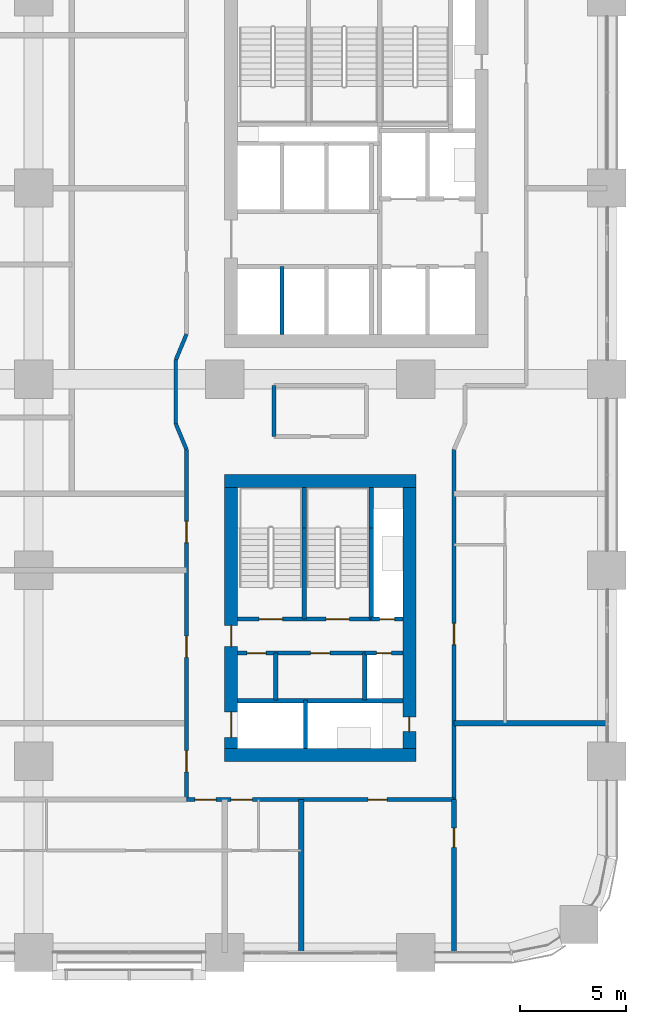
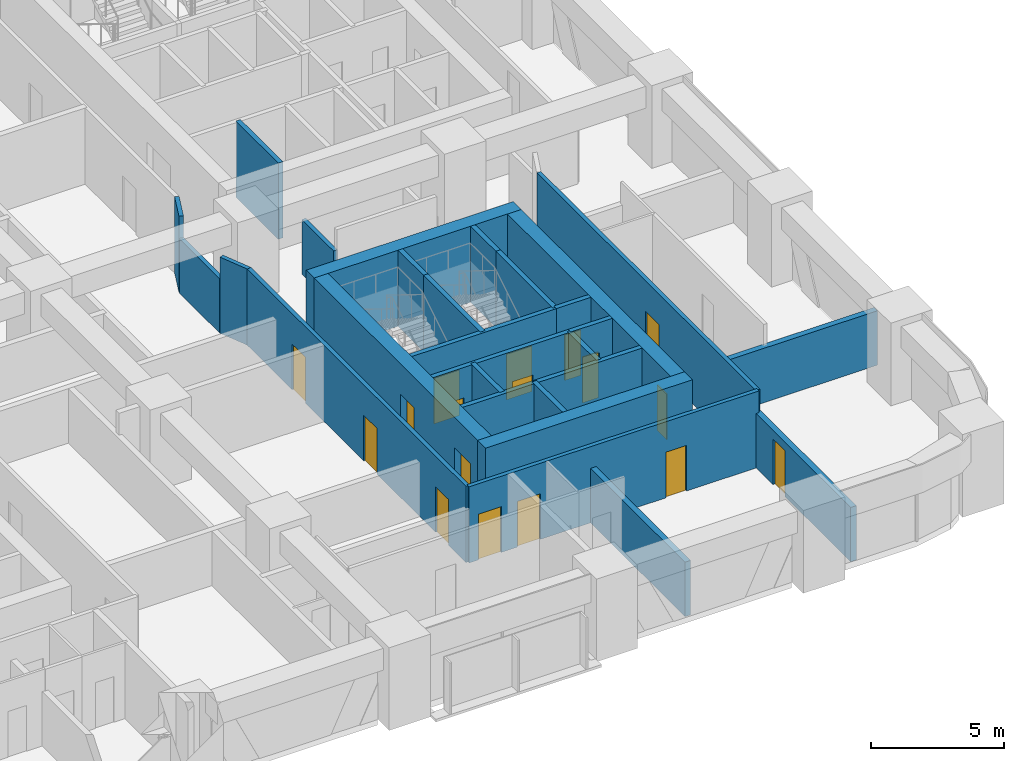
# One storey, part 16 of 23: 27 walls, 17 doors, 17 openings.
"""IFC4 building model written with IfcOpenShell, lengths in metres."""

from ifc_helpers import new_model, si_unit, direction, frame, frame_2d, origin, place, context, subcontext, project, spatial, rectangle, extrude, material, layer, layer_set, type_object, element, fill, save


model = new_model("IFC4")

# Units and contexts
model_context = context("Model", 3, precision=1e-05, world=origin(), true_north=direction((0.0, 1.0)))
body_context = subcontext(model_context, "Body", "Model", "MODEL_VIEW")
ifc_project = project(units=[si_unit("LENGTHUNIT", "METRE"), si_unit("AREAUNIT", "SQUARE_METRE"), si_unit("VOLUMEUNIT", "CUBIC_METRE"), si_unit("PLANEANGLEUNIT", "RADIAN"), si_unit("MASSUNIT", "GRAM", prefix="KILO")], contexts=[model_context])

# Site, building, storey
site_placement = place(None, origin())
site = spatial("IfcSite", under=ifc_project, at=site_placement, CompositionType="ELEMENT")
building_placement = place(site_placement, origin())
building = spatial("IfcBuilding", under=site, at=building_placement, Name="Tessera Arch", CompositionType="ELEMENT")
storey_placement = place(building_placement, frame((0.0, 0.0, 57.60009765625)))
storey = spatial("IfcBuildingStorey", under=building, at=storey_placement, Name="L12", CompositionType="ELEMENT", Elevation=57.60009765625)

# Wall
ifc_material_1 = material(Name="Gypsum board on steel stud", Category="steel")
ifc_layer_1 = layer(ifc_material_1, 0.125)
ifc_layer_set_1 = layer_set([ifc_layer_1], Name="Core partition 125 EI 60")
wall_type_1 = type_object("IfcWallType", Name="Core partition 125 EI 60", PredefinedType="PARTITIONING", material=ifc_layer_set_1)
wall_1_placement = place(storey_placement, frame((38.39990234375, 11.89990234375, 0.0), z_axis=(0.0, 0.0, 1.0), x_axis=(0.0, 1.0, 0.0)))
element("IfcWall", 1, at=wall_1_placement, inside=storey, type_object=wall_type_1, Name="L12 C3 partition wall 1", PredefinedType="PARTITIONING", context=body_context, shape_type="SweptSolid", body=[
    extrude(rectangle(XDim=2.2001953125, YDim=0.199951171875, at=frame_2d((1.10009765625, 0.0))), origin(), (0.0, 0.0, 1.0), 3.5),
])

# Wall, openings, doors
wall_2_placement = place(storey_placement, frame((36.60009765625, 14.10009765625, 0.0), z_axis=(0.0, 0.0, 1.0), x_axis=(1.0, 0.0, 0.0)))
wall_2 = element("IfcWall", 2, at=wall_2_placement, inside=storey, type_object=wall_type_1, Name="L12 C3 partition wall 9", PredefinedType="PARTITIONING", context=body_context, shape_type="SweptSolid", body=[
    extrude(rectangle(XDim=6.0, YDim=0.199951171875, at=frame_2d((3.0, 0.0))), origin(), (0.0, 0.0, 1.0), 3.5),
])
opening_1_placement = place(wall_2_placement, frame((0.449951171875, 0.0, 0.0)))
opening_1 = element("IfcOpeningElement", 3, at=opening_1_placement, cuts=wall_2, Name="Opening L12-C38", PredefinedType="OPENING", context=body_context, shape_type="SweptSolid", body=[
    extrude(rectangle(XDim=0.89990234375, YDim=2.10009765625, at=frame_2d((0.449951171875, 1.050048828125))), frame((0.0, 0.10986328125, 0.0), z_axis=(0.0, -1.0, 0.0), x_axis=(1.0, 0.0, 0.0)), (0.0, 0.0, 1.0), 0.219970703125),
])
opening_2_placement = place(wall_2_placement, frame((3.449951171875, 0.0, 0.0)))
opening_2 = element("IfcOpeningElement", 4, at=opening_2_placement, cuts=wall_2, Name="Opening L12-C39", PredefinedType="OPENING", context=body_context, shape_type="SweptSolid", body=[
    extrude(rectangle(XDim=0.89990234375, YDim=2.10009765625, at=frame_2d((0.449951171875, 1.050048828125))), frame((0.0, 0.10986328125, 0.0), z_axis=(0.0, -1.0, 0.0), x_axis=(1.0, 0.0, 0.0)), (0.0, 0.0, 1.0), 0.219970703125),
])
ifc_material_2 = material(Name="Steel door leaf", Category="steel")
door_type_1 = type_object("IfcDoorType", Name="Store door FD30S 900 x 2100", OperationType="SINGLE_SWING_LEFT", PredefinedType="DOOR", material=ifc_material_2)
door_1_placement = place(opening_1_placement, origin())
door_1 = element("IfcDoor", 5, at=door_1_placement, inside=storey, type_object=door_type_1, Name="L12 C3 door 8 C38 type D09", OperationType="SINGLE_SWING_LEFT", OverallHeight=2.10009765625, OverallWidth=0.89990234375, PredefinedType="DOOR", context=body_context, shape_type="SweptSolid", body=[
    extrude(rectangle(XDim=0.89990234375, YDim=2.10009765625, at=frame_2d((0.449951171875, 1.050048828125))), frame((0.0, 0.02490234375, 0.0), z_axis=(0.0, -1.0, 0.0), x_axis=(1.0, 0.0, 0.0)), (0.0, 0.0, 1.0), 0.050048828125),
])
fill(opening_1, door_1)
door_2_placement = place(opening_2_placement, origin())
door_2 = element("IfcDoor", 6, at=door_2_placement, inside=storey, type_object=door_type_1, Name="L12 C3 door 9 C39 type D09", OperationType="SINGLE_SWING_RIGHT", OverallHeight=2.10009765625, OverallWidth=0.89990234375, PredefinedType="DOOR", context=body_context, shape_type="SweptSolid", body=[
    extrude(rectangle(XDim=0.89990234375, YDim=2.10009765625, at=frame_2d((0.449951171875, 1.050048828125))), frame((0.0, 0.02490234375, 0.0), z_axis=(0.0, -1.0, 0.0), x_axis=(1.0, 0.0, 0.0)), (0.0, 0.0, 1.0), 0.050048828125),
])
fill(opening_2, door_2)

# Walls
ifc_material_3 = material(Name="Concrete C70/85", Category="concrete")
ifc_layer_2 = layer(ifc_material_3, 0.60009765625)
ifc_layer_set_2 = layer_set([ifc_layer_2], Name="Core shell wall 600 C70-85")
wall_type_2 = type_object("IfcWallType", Name="Core shell wall 600 C70-85", PredefinedType="SHEAR", material=ifc_layer_set_2)
for number, where, z_axis, x_axis, name in (
    (7, (36.0, 9.300048828125, 0.0), (0.0, 0.0, 1.0), (1.0, 0.0, 0.0), "L12 C3 core wall S"),
    (8, (36.0, 22.199951171875, 0.0), (0.0, 0.0, 1.0), (1.0, 0.0, 0.0), "L12 C3 core wall N"),
):
    element("IfcWall", number, at=place(storey_placement, frame(where, z_axis=z_axis, x_axis=x_axis)), inside=storey, type_object=wall_type_2, Name=name, PredefinedType="SHEAR", context=body_context, shape_type="SweptSolid", body=[
        extrude(rectangle(XDim=9.0, YDim=0.60009765625, at=frame_2d((4.5, 0.0))), origin(), (0.0, 0.0, 1.0), 3.5),
    ])

# Wall, openings, doors
wall_3_placement = place(storey_placement, frame((36.300048828125, 9.60009765625, 0.0), z_axis=(0.0, 0.0, 1.0), x_axis=(0.0, 1.0, 0.0)))
wall_3 = element("IfcWall", 9, at=wall_3_placement, inside=storey, type_object=wall_type_2, Name="L12 C3 core wall W", PredefinedType="SHEAR", context=body_context, shape_type="SweptSolid", body=[
    extrude(rectangle(XDim=12.2998046875, YDim=0.60009765625, at=frame_2d((6.14990234375, 0.0))), origin(), (0.0, 0.0, 1.0), 3.5),
])
opening_3_placement = place(wall_3_placement, frame((0.52490234375, 0.0, 0.0)))
opening_3 = element("IfcOpeningElement", 10, at=opening_3_placement, cuts=wall_3, Name="Opening L12-C31", PredefinedType="OPENING", context=body_context, shape_type="SweptSolid", body=[
    extrude(rectangle(XDim=1.199951171875, YDim=2.10009765625, at=frame_2d((0.60009765625, 1.050048828125))), frame((0.0, 0.31005859375, 0.0), z_axis=(0.0, -1.0, 0.0), x_axis=(1.0, 0.0, 0.0)), (0.0, 0.0, 1.0), 0.6201171875),
])
opening_4_placement = place(wall_3_placement, frame((4.800048828125, 0.0, 0.0)))
opening_4 = element("IfcOpeningElement", 11, at=opening_4_placement, cuts=wall_3, Name="Opening L12-C37", PredefinedType="OPENING", context=body_context, shape_type="SweptSolid", body=[
    extrude(rectangle(XDim=1.0, YDim=2.10009765625, at=frame_2d((0.5, 1.050048828125))), frame((0.0, 0.31005859375, 0.0), z_axis=(0.0, -1.0, 0.0), x_axis=(1.0, 0.0, 0.0)), (0.0, 0.0, 1.0), 0.6201171875),
])
ifc_material_4 = material(Name="Steel door leaf", Category="steel")
door_type_2 = type_object("IfcDoorType", Name="Corridor door FD60 1000 x 2100", OperationType="SINGLE_SWING_LEFT", PredefinedType="DOOR", material=ifc_material_4)
door_3_placement = place(opening_4_placement, origin())
door_3 = element("IfcDoor", 12, at=door_3_placement, inside=storey, type_object=door_type_2, Name="L12 C3 door 7 C37 type D12", OperationType="SINGLE_SWING_LEFT", OverallHeight=2.10009765625, OverallWidth=1.0, PredefinedType="DOOR", context=body_context, shape_type="SweptSolid", body=[
    extrude(rectangle(XDim=1.0, YDim=2.10009765625, at=frame_2d((0.5, 1.050048828125))), frame((0.0, 0.02490234375, 0.0), z_axis=(0.0, -1.0, 0.0), x_axis=(1.0, 0.0, 0.0)), (0.0, 0.0, 1.0), 0.050048828125),
])
fill(opening_4, door_3)
ifc_material_5 = material(Name="Stainless steel AISI 304", Category="steel")
door_type_3 = type_object("IfcDoorType", Name="Sliding landing door 1200 x 2100", OperationType="SLIDING_TO_LEFT", PredefinedType="DOOR", material=ifc_material_5)
door_4_placement = place(opening_3_placement, origin())
door_4 = element("IfcDoor", 13, at=door_4_placement, inside=storey, type_object=door_type_3, Name="L12 SV1 lift landing door C31 type LD", OperationType="SLIDING_TO_LEFT", OverallHeight=2.10009765625, OverallWidth=1.199951171875, PredefinedType="DOOR", context=body_context, shape_type="SweptSolid", body=[
    extrude(rectangle(XDim=1.199951171875, YDim=2.10009765625, at=frame_2d((0.60009765625, 1.050048828125))), frame((0.0, 0.02490234375, 0.0), z_axis=(0.0, -1.0, 0.0), x_axis=(1.0, 0.0, 0.0)), (0.0, 0.0, 1.0), 0.050048828125),
])
fill(opening_3, door_4)

# Wall, opening, door
wall_4_placement = place(storey_placement, frame((44.699951171875, 9.60009765625, 0.0), z_axis=(0.0, 0.0, 1.0), x_axis=(0.0, 1.0, 0.0)))
wall_4 = element("IfcWall", 14, at=wall_4_placement, inside=storey, type_object=wall_type_2, Name="L12 C3 core wall E", PredefinedType="SHEAR", context=body_context, shape_type="SweptSolid", body=[
    extrude(rectangle(XDim=12.2998046875, YDim=0.60009765625, at=frame_2d((6.14990234375, 0.0))), origin(), (0.0, 0.0, 1.0), 3.5),
])
opening_5_placement = place(wall_4_placement, frame((0.800048828125, 0.0, 0.0)))
opening_5 = element("IfcOpeningElement", 15, at=opening_5_placement, cuts=wall_4, Name="Opening L12-C36", PredefinedType="OPENING", context=body_context, shape_type="SweptSolid", body=[
    extrude(rectangle(XDim=0.699951171875, YDim=2.10009765625, at=frame_2d((0.35009765625, 1.050048828125))), frame((0.0, 0.31005859375, 0.0), z_axis=(0.0, -1.0, 0.0), x_axis=(1.0, 0.0, 0.0)), (0.0, 0.0, 1.0), 0.6201171875),
])
ifc_material_6 = material(Name="Steel door leaf", Category="steel")
door_type_4 = type_object("IfcDoorType", Name="Service shaft door FD60 700 x 2100", OperationType="SINGLE_SWING_LEFT", PredefinedType="DOOR", material=ifc_material_6)
door_5_placement = place(opening_5_placement, origin())
door_5 = element("IfcDoor", 16, at=door_5_placement, inside=storey, type_object=door_type_4, Name="L12 C3 door 6 C36 type D07", OperationType="SINGLE_SWING_LEFT", OverallHeight=2.10009765625, OverallWidth=0.699951171875, PredefinedType="DOOR", context=body_context, shape_type="SweptSolid", body=[
    extrude(rectangle(XDim=0.699951171875, YDim=2.10009765625, at=frame_2d((0.35009765625, 1.050048828125))), frame((0.0, 0.02490234375, 0.0), z_axis=(0.0, -1.0, 0.0), x_axis=(1.0, 0.0, 0.0)), (0.0, 0.0, 1.0), 0.050048828125),
])
fill(opening_5, door_5)

# Wall, openings, doors
ifc_material_7 = material(Name="Gypsum board on deep steel stud with mineral wool", Category="steel")
ifc_layer_3 = layer(ifc_material_7, 0.175048828125)
ifc_layer_set_3 = layer_set([ifc_layer_3], Name="Corridor wall 175 EI 60")
wall_type_3 = type_object("IfcWallType", Name="Corridor wall 175 EI 60", PredefinedType="PARTITIONING", material=ifc_layer_set_3)
wall_5_placement = place(storey_placement, frame((34.199951171875, 7.199951171875, 0.0), z_axis=(0.0, 0.0, 1.0), x_axis=(1.0, 0.0, 0.0)))
wall_5 = element("IfcWall", 17, at=wall_5_placement, inside=storey, type_object=wall_type_3, Name="L12 partition 2", PredefinedType="PARTITIONING", context=body_context, shape_type="SweptSolid", body=[
    extrude(rectangle(XDim=12.60009765625, YDim=0.175048828125, at=frame_2d((6.300048828125, 0.0))), origin(), (0.0, 0.0, 1.0), 3.5),
])
opening_6_placement = place(wall_5_placement, frame((0.39990234375, 0.0, 0.0)))
opening_6 = element("IfcOpeningElement", 18, at=opening_6_placement, cuts=wall_5, Name="Opening L12-D004", PredefinedType="OPENING", context=body_context, shape_type="SweptSolid", body=[
    extrude(rectangle(XDim=1.0, YDim=2.10009765625, at=frame_2d((0.5, 1.050048828125))), frame((0.0, 0.097412109375, 0.0), z_axis=(0.0, -1.0, 0.0), x_axis=(1.0, 0.0, 0.0)), (0.0, 0.0, 1.0), 0.195068359375),
])
opening_7_placement = place(wall_5_placement, frame((2.10009765625, 0.0, 0.0)))
opening_7 = element("IfcOpeningElement", 19, at=opening_7_placement, cuts=wall_5, Name="Opening L12-D007", PredefinedType="OPENING", context=body_context, shape_type="SweptSolid", body=[
    extrude(rectangle(XDim=1.0, YDim=2.10009765625, at=frame_2d((0.5, 1.050048828125))), frame((0.0, 0.097412109375, 0.0), z_axis=(0.0, -1.0, 0.0), x_axis=(1.0, 0.0, 0.0)), (0.0, 0.0, 1.0), 0.195068359375),
])
opening_8_placement = place(wall_5_placement, frame((8.550048828125, 0.0, 0.0)))
opening_8 = element("IfcOpeningElement", 20, at=opening_8_placement, cuts=wall_5, Name="Opening L12-D010", PredefinedType="OPENING", context=body_context, shape_type="SweptSolid", body=[
    extrude(rectangle(XDim=0.89990234375, YDim=2.10009765625, at=frame_2d((0.449951171875, 1.050048828125))), frame((0.0, 0.097412109375, 0.0), z_axis=(0.0, -1.0, 0.0), x_axis=(1.0, 0.0, 0.0)), (0.0, 0.0, 1.0), 0.195068359375),
])
ifc_material_8 = material(Name="Fire-rated door leaf")
door_type_5 = type_object("IfcDoorType", Name="Entrance door FD30S 1000 x 2100", OperationType="SINGLE_SWING_LEFT", PredefinedType="DOOR", material=ifc_material_8)
door_6_placement = place(opening_6_placement, origin())
door_6 = element("IfcDoor", 21, at=door_6_placement, inside=storey, type_object=door_type_5, Name="L12 door D004 type D03", OperationType="SINGLE_SWING_LEFT", OverallHeight=2.10009765625, OverallWidth=1.0, PredefinedType="DOOR", context=body_context, shape_type="SweptSolid", body=[
    extrude(rectangle(XDim=1.0, YDim=2.10009765625, at=frame_2d((0.5, 1.050048828125))), frame((0.0, 0.02490234375, 0.0), z_axis=(0.0, -1.0, 0.0), x_axis=(1.0, 0.0, 0.0)), (0.0, 0.0, 1.0), 0.050048828125),
])
fill(opening_6, door_6)
door_7_placement = place(opening_7_placement, origin())
door_7 = element("IfcDoor", 22, at=door_7_placement, inside=storey, type_object=door_type_5, Name="L12 door D007 type D03", OperationType="SINGLE_SWING_RIGHT", OverallHeight=2.10009765625, OverallWidth=1.0, PredefinedType="DOOR", context=body_context, shape_type="SweptSolid", body=[
    extrude(rectangle(XDim=1.0, YDim=2.10009765625, at=frame_2d((0.5, 1.050048828125))), frame((0.0, 0.02490234375, 0.0), z_axis=(0.0, -1.0, 0.0), x_axis=(1.0, 0.0, 0.0)), (0.0, 0.0, 1.0), 0.050048828125),
])
fill(opening_7, door_7)
ifc_material_9 = material(Name="Timber door leaf", Category="wood")
door_type_6 = type_object("IfcDoorType", Name="Room door 900 x 2100", OperationType="SINGLE_SWING_LEFT", PredefinedType="DOOR", material=ifc_material_9)
door_8_placement = place(opening_8_placement, origin())
door_8 = element("IfcDoor", 23, at=door_8_placement, inside=storey, type_object=door_type_6, Name="L12 door D010 type D01", OperationType="SINGLE_SWING_LEFT", OverallHeight=2.10009765625, OverallWidth=0.89990234375, PredefinedType="DOOR", context=body_context, shape_type="SweptSolid", body=[
    extrude(rectangle(XDim=0.89990234375, YDim=2.10009765625, at=frame_2d((0.449951171875, 1.050048828125))), frame((0.0, 0.02490234375, 0.0), z_axis=(0.0, -1.0, 0.0), x_axis=(1.0, 0.0, 0.0)), (0.0, 0.0, 1.0), 0.050048828125),
])
fill(opening_8, door_8)

# Wall
wall_6_placement = place(storey_placement, frame((33.699951171875, 24.889892578125, 0.0), z_axis=(0.0, 0.0, 1.0), x_axis=(0.0, 1.0, 0.0)))
element("IfcWall", 24, at=wall_6_placement, inside=storey, type_object=wall_type_3, Name="L12 partition 19", PredefinedType="PARTITIONING", context=body_context, shape_type="SweptSolid", body=[
    extrude(rectangle(XDim=3.030029296875, YDim=0.175048828125, at=frame_2d((1.51513671875, 0.0))), origin(), (0.0, 0.0, 1.0), 2.5),
])

# Wall, openings, doors
wall_7_placement = place(storey_placement, frame((34.199951171875, 7.199951171875, 0.0), z_axis=(0.0, 0.0, 1.0), x_axis=(0.0, 1.0, 0.0)))
wall_7 = element("IfcWall", 25, at=wall_7_placement, inside=storey, type_object=wall_type_3, Name="L12 partition 20", PredefinedType="PARTITIONING", context=body_context, shape_type="SweptSolid", body=[
    extrude(rectangle(XDim=16.489990234375, YDim=0.175048828125, at=frame_2d((8.2451171875, 0.0))), origin(), (0.0, 0.0, 1.0), 3.5),
])
opening_9_placement = place(wall_7_placement, frame((1.300048828125, 0.0, 0.0)))
opening_9 = element("IfcOpeningElement", 26, at=opening_9_placement, cuts=wall_7, Name="Opening L12-D015", PredefinedType="OPENING", context=body_context, shape_type="SweptSolid", body=[
    extrude(rectangle(XDim=1.0, YDim=2.10009765625, at=frame_2d((0.5, 1.050048828125))), frame((0.0, 0.097412109375, 0.0), z_axis=(0.0, -1.0, 0.0), x_axis=(1.0, 0.0, 0.0)), (0.0, 0.0, 1.0), 0.195068359375),
])
opening_10_placement = place(wall_7_placement, frame((6.699951171875, 0.0, 0.0)))
opening_10 = element("IfcOpeningElement", 27, at=opening_10_placement, cuts=wall_7, Name="Opening L12-D019", PredefinedType="OPENING", context=body_context, shape_type="SweptSolid", body=[
    extrude(rectangle(XDim=1.0, YDim=2.10009765625, at=frame_2d((0.5, 1.050048828125))), frame((0.0, 0.097412109375, 0.0), z_axis=(0.0, -1.0, 0.0), x_axis=(1.0, 0.0, 0.0)), (0.0, 0.0, 1.0), 0.195068359375),
])
opening_11_placement = place(wall_7_placement, frame((12.10009765625, 0.0, 0.0)))
opening_11 = element("IfcOpeningElement", 28, at=opening_11_placement, cuts=wall_7, Name="Opening L12-D027", PredefinedType="OPENING", context=body_context, shape_type="SweptSolid", body=[
    extrude(rectangle(XDim=1.0, YDim=2.10009765625, at=frame_2d((0.5, 1.050048828125))), frame((0.0, 0.097412109375, 0.0), z_axis=(0.0, -1.0, 0.0), x_axis=(1.0, 0.0, 0.0)), (0.0, 0.0, 1.0), 0.195068359375),
])
door_9_placement = place(opening_9_placement, origin())
door_9 = element("IfcDoor", 29, at=door_9_placement, inside=storey, type_object=door_type_5, Name="L12 door D015 type D03", OperationType="SINGLE_SWING_RIGHT", OverallHeight=2.10009765625, OverallWidth=1.0, PredefinedType="DOOR", context=body_context, shape_type="SweptSolid", body=[
    extrude(rectangle(XDim=1.0, YDim=2.10009765625, at=frame_2d((0.5, 1.050048828125))), frame((0.0, 0.02490234375, 0.0), z_axis=(0.0, -1.0, 0.0), x_axis=(1.0, 0.0, 0.0)), (0.0, 0.0, 1.0), 0.050048828125),
])
fill(opening_9, door_9)
door_10_placement = place(opening_10_placement, origin())
door_10 = element("IfcDoor", 30, at=door_10_placement, inside=storey, type_object=door_type_5, Name="L12 door D019 type D03", OperationType="SINGLE_SWING_RIGHT", OverallHeight=2.10009765625, OverallWidth=1.0, PredefinedType="DOOR", context=body_context, shape_type="SweptSolid", body=[
    extrude(rectangle(XDim=1.0, YDim=2.10009765625, at=frame_2d((0.5, 1.050048828125))), frame((0.0, 0.02490234375, 0.0), z_axis=(0.0, -1.0, 0.0), x_axis=(1.0, 0.0, 0.0)), (0.0, 0.0, 1.0), 0.050048828125),
])
fill(opening_10, door_10)
door_11_placement = place(opening_11_placement, origin())
door_11 = element("IfcDoor", 31, at=door_11_placement, inside=storey, type_object=door_type_5, Name="L12 door D027 type D03", OperationType="SINGLE_SWING_RIGHT", OverallHeight=2.10009765625, OverallWidth=1.0, PredefinedType="DOOR", context=body_context, shape_type="SweptSolid", body=[
    extrude(rectangle(XDim=1.0, YDim=2.10009765625, at=frame_2d((0.5, 1.050048828125))), frame((0.0, 0.02490234375, 0.0), z_axis=(0.0, -1.0, 0.0), x_axis=(1.0, 0.0, 0.0)), (0.0, 0.0, 1.0), 0.050048828125),
])
fill(opening_11, door_11)

# Wall
wall_8_placement = place(storey_placement, frame((38.320068359375, 24.300048828125, 0.0), z_axis=(0.0, 0.0, 1.0), x_axis=(0.0, 1.0, 0.0)))
element("IfcWall", 32, at=wall_8_placement, inside=storey, type_object=wall_type_3, Name="L12 partition 22", PredefinedType="PARTITIONING", context=body_context, shape_type="SweptSolid", body=[
    extrude(rectangle(XDim=2.39990234375, YDim=0.175048828125, at=frame_2d((1.199951171875, 0.0))), origin(), (0.0, 0.0, 1.0), 2.5),
])

# Wall, opening, door
wall_9_placement = place(storey_placement, frame((46.800048828125, 7.199951171875, 0.0), z_axis=(0.0, 0.0, 1.0), x_axis=(0.0, 1.0, 0.0)))
wall_9 = element("IfcWall", 33, at=wall_9_placement, inside=storey, type_object=wall_type_3, Name="L12 partition 24", PredefinedType="PARTITIONING", context=body_context, shape_type="SweptSolid", body=[
    extrude(rectangle(XDim=16.489990234375, YDim=0.175048828125, at=frame_2d((8.2451171875, 0.0))), origin(), (0.0, 0.0, 1.0), 3.5),
])
opening_12_placement = place(wall_9_placement, frame((7.300048828125, 0.0, 0.0)))
opening_12 = element("IfcOpeningElement", 34, at=opening_12_placement, cuts=wall_9, Name="Opening L12-D021", PredefinedType="OPENING", context=body_context, shape_type="SweptSolid", body=[
    extrude(rectangle(XDim=1.0, YDim=2.10009765625, at=frame_2d((0.5, 1.050048828125))), frame((0.0, 0.097412109375, 0.0), z_axis=(0.0, -1.0, 0.0), x_axis=(1.0, 0.0, 0.0)), (0.0, 0.0, 1.0), 0.195068359375),
])
door_12_placement = place(opening_12_placement, origin())
door_12 = element("IfcDoor", 35, at=door_12_placement, inside=storey, type_object=door_type_5, Name="L12 door D021 type D03", OperationType="SINGLE_SWING_LEFT", OverallHeight=2.10009765625, OverallWidth=1.0, PredefinedType="DOOR", context=body_context, shape_type="SweptSolid", body=[
    extrude(rectangle(XDim=1.0, YDim=2.10009765625, at=frame_2d((0.5, 1.050048828125))), frame((0.0, 0.02490234375, 0.0), z_axis=(0.0, -1.0, 0.0), x_axis=(1.0, 0.0, 0.0)), (0.0, 0.0, 1.0), 0.050048828125),
])
fill(opening_12, door_12)

# Walls
wall_10_placement = place(storey_placement, frame((34.199951171875, 23.68994140625, 0.0), z_axis=(0.0, 0.0, 1.0), x_axis=(-0.384628719983, 0.923071366561, 0.0)))
element("IfcWall", 36, at=wall_10_placement, inside=storey, type_object=wall_type_3, Name="L12 partition 77", PredefinedType="PARTITIONING", context=body_context, shape_type="SweptSolid", body=[
    extrude(rectangle(XDim=1.300048828125, YDim=0.175048828125, at=frame_2d((0.64990234375, 0.0))), origin(), (0.0, 0.0, 1.0), 3.5),
])
wall_11_placement = place(storey_placement, frame((33.699951171875, 27.919921875, 0.0), z_axis=(0.0, 0.0, 1.0), x_axis=(0.384562051588, 0.923099143363, 0.0)))
element("IfcWall", 37, at=wall_11_placement, inside=storey, type_object=wall_type_3, Name="L12 partition 78", PredefinedType="PARTITIONING", context=body_context, shape_type="SweptSolid", body=[
    extrude(rectangle(XDim=1.30029296875, YDim=0.175048828125, at=frame_2d((0.650146484375, 0.0))), origin(), (0.0, 0.0, 1.0), 3.5),
])
ifc_material_10 = material(Name="Double gypsum board on twin steel stud with acoustic mineral wool", Category="steel")
ifc_layer_4 = layer(ifc_material_10, 0.25)
ifc_layer_set_4 = layer_set([ifc_layer_4], Name="Party wall 250 EI 60")
wall_type_4 = type_object("IfcWallType", Name="Party wall 250 EI 60", PredefinedType="PARTITIONING", material=ifc_layer_set_4)
for number, where, z_axis, x_axis, name in (
    (38, (46.800048828125, 10.800048828125, 0.0), (0.0, 0.0, 1.0), (1.0, 0.0, 0.0), "L12 partition 36"),
    (39, (39.60009765625, 0.0, 0.0), (0.0, 0.0, 1.0), (0.0, 1.0, 0.0), "L12 partition 59"),
):
    element("IfcWall", number, at=place(storey_placement, frame(where, z_axis=z_axis, x_axis=x_axis)), inside=storey, type_object=wall_type_4, Name=name, PredefinedType="PARTITIONING", context=body_context, shape_type="SweptSolid", body=[
        extrude(rectangle(XDim=7.199951171875, YDim=0.25, at=frame_2d((3.60009765625, 0.0))), origin(), (0.0, 0.0, 1.0), 2.5),
    ])

# Wall, opening, door
wall_12_placement = place(storey_placement, frame((46.800048828125, 0.0, 0.0), z_axis=(0.0, 0.0, 1.0), x_axis=(0.0, 1.0, 0.0)))
wall_12 = element("IfcWall", 40, at=wall_12_placement, inside=storey, type_object=wall_type_4, Name="L12 partition 60", PredefinedType="PARTITIONING", context=body_context, shape_type="SweptSolid", body=[
    extrude(rectangle(XDim=7.199951171875, YDim=0.25, at=frame_2d((3.60009765625, 0.0))), origin(), (0.0, 0.0, 1.0), 2.5),
])
opening_13_placement = place(wall_12_placement, frame((4.949951171875, 0.0, 0.0)))
opening_13 = element("IfcOpeningElement", 41, at=opening_13_placement, cuts=wall_12, Name="Opening L12-D047", PredefinedType="OPENING", context=body_context, shape_type="SweptSolid", body=[
    extrude(rectangle(XDim=0.89990234375, YDim=2.10009765625, at=frame_2d((0.449951171875, 1.050048828125))), frame((0.0, 0.135009765625, 0.0), z_axis=(0.0, -1.0, 0.0), x_axis=(1.0, 0.0, 0.0)), (0.0, 0.0, 1.0), 0.27001953125),
])
door_13_placement = place(opening_13_placement, origin())
door_13 = element("IfcDoor", 42, at=door_13_placement, inside=storey, type_object=door_type_6, Name="L12 door D047 type D01", OperationType="SINGLE_SWING_LEFT", OverallHeight=2.10009765625, OverallWidth=0.89990234375, PredefinedType="DOOR", context=body_context, shape_type="SweptSolid", body=[
    extrude(rectangle(XDim=0.89990234375, YDim=2.10009765625, at=frame_2d((0.449951171875, 1.050048828125))), frame((0.0, 0.02490234375, 0.0), z_axis=(0.0, -1.0, 0.0), x_axis=(1.0, 0.0, 0.0)), (0.0, 0.0, 1.0), 0.050048828125),
])
fill(opening_13, door_13)

# Walls
ifc_material_11 = material(Name="Concrete C40/50", Category="concrete")
ifc_layer_5 = layer(ifc_material_11, 0.199951171875)
ifc_layer_set_5 = layer_set([ifc_layer_5], Name="Shaft wall 200 EI 120")
wall_type_5 = type_object("IfcWallType", Name="Shaft wall 200 EI 120", PredefinedType="SOLIDWALL", material=ifc_layer_set_5)
wall_13_placement = place(storey_placement, frame((38.699951171875, 29.10009765625, 0.0), z_axis=(0.0, 0.0, 1.0), x_axis=(0.0, 1.0, 0.0)))
element("IfcWall", 43, at=wall_13_placement, inside=storey, type_object=wall_type_5, Name="L12 C1 shaft wall 1", PredefinedType="SOLIDWALL", context=body_context, shape_type="SweptSolid", body=[
    extrude(rectangle(XDim=3.199951171875, YDim=0.199951171875, at=frame_2d((1.60009765625, 0.0))), origin(), (0.0, 0.0, 1.0), 3.5),
])
wall_14_placement = place(storey_placement, frame((39.800048828125, 9.60009765625, 0.0), z_axis=(0.0, 0.0, 1.0), x_axis=(0.0, 1.0, 0.0)))
element("IfcWall", 44, at=wall_14_placement, inside=storey, type_object=wall_type_5, Name="L12 C3 shaft wall 4", PredefinedType="SOLIDWALL", context=body_context, shape_type="SweptSolid", body=[
    extrude(rectangle(XDim=2.2998046875, YDim=0.199951171875, at=frame_2d((1.14990234375, 0.0))), origin(), (0.0, 0.0, 1.0), 3.5),
])
wall_15_placement = place(storey_placement, frame((42.60009765625, 11.89990234375, 0.0), z_axis=(0.0, 0.0, 1.0), x_axis=(0.0, 1.0, 0.0)))
element("IfcWall", 45, at=wall_15_placement, inside=storey, type_object=wall_type_5, Name="L12 C3 shaft wall 5", PredefinedType="SOLIDWALL", context=body_context, shape_type="SweptSolid", body=[
    extrude(rectangle(XDim=2.2001953125, YDim=0.199951171875, at=frame_2d((1.10009765625, 0.0))), origin(), (0.0, 0.0, 1.0), 3.5),
])
wall_16_placement = place(storey_placement, frame((36.60009765625, 11.85009765625, 0.0), z_axis=(0.0, 0.0, 1.0), x_axis=(1.0, 0.0, 0.0)))
element("IfcWall", 46, at=wall_16_placement, inside=storey, type_object=wall_type_5, Name="L12 C3 shaft wall 8", PredefinedType="SOLIDWALL", context=body_context, shape_type="SweptSolid", body=[
    extrude(rectangle(XDim=7.7998046875, YDim=0.199951171875, at=frame_2d((3.89990234375, 0.0))), origin(), (0.0, 0.0, 1.0), 3.5),
])

# Wall, opening, door
wall_17_placement = place(storey_placement, frame((42.60009765625, 14.10009765625, 0.0), z_axis=(0.0, 0.0, 1.0), x_axis=(1.0, 0.0, 0.0)))
wall_17 = element("IfcWall", 47, at=wall_17_placement, inside=storey, type_object=wall_type_5, Name="L12 C3 shaft wall 10", PredefinedType="SOLIDWALL", context=body_context, shape_type="SweptSolid", body=[
    extrude(rectangle(XDim=1.7998046875, YDim=0.199951171875, at=frame_2d((0.89990234375, 0.0))), origin(), (0.0, 0.0, 1.0), 3.5),
])
opening_14_placement = place(wall_17_placement, frame((0.550048828125, 0.0, 0.0)))
opening_14 = element("IfcOpeningElement", 48, at=opening_14_placement, cuts=wall_17, Name="Opening L12-C35", PredefinedType="OPENING", context=body_context, shape_type="SweptSolid", body=[
    extrude(rectangle(XDim=0.699951171875, YDim=2.10009765625, at=frame_2d((0.35009765625, 1.050048828125))), frame((0.0, 0.10986328125, 0.0), z_axis=(0.0, -1.0, 0.0), x_axis=(1.0, 0.0, 0.0)), (0.0, 0.0, 1.0), 0.219970703125),
])
door_14_placement = place(opening_14_placement, origin())
door_14 = element("IfcDoor", 49, at=door_14_placement, inside=storey, type_object=door_type_4, Name="L12 C3 door 5 C35 type D07", OperationType="SINGLE_SWING_RIGHT", OverallHeight=2.10009765625, OverallWidth=0.699951171875, PredefinedType="DOOR", context=body_context, shape_type="SweptSolid", body=[
    extrude(rectangle(XDim=0.699951171875, YDim=2.10009765625, at=frame_2d((0.35009765625, 1.050048828125))), frame((0.0, 0.02490234375, 0.0), z_axis=(0.0, -1.0, 0.0), x_axis=(1.0, 0.0, 0.0)), (0.0, 0.0, 1.0), 0.050048828125),
])
fill(opening_14, door_14)

wall_18_placement = place(storey_placement, frame((42.89990234375, 15.699951171875, 0.0), z_axis=(0.0, 0.0, 1.0), x_axis=(1.0, 0.0, 0.0)))
wall_18 = element("IfcWall", 50, at=wall_18_placement, inside=storey, type_object=wall_type_5, Name="L12 C3 shaft wall 11", PredefinedType="SOLIDWALL", context=body_context, shape_type="SweptSolid", body=[
    extrude(rectangle(XDim=1.5, YDim=0.199951171875, at=frame_2d((0.75, 0.0))), origin(), (0.0, 0.0, 1.0), 3.5),
])
opening_15_placement = place(wall_18_placement, frame((0.39990234375, 0.0, 0.0)))
opening_15 = element("IfcOpeningElement", 51, at=opening_15_placement, cuts=wall_18, Name="Opening L12-C34", PredefinedType="OPENING", context=body_context, shape_type="SweptSolid", body=[
    extrude(rectangle(XDim=0.699951171875, YDim=2.10009765625, at=frame_2d((0.35009765625, 1.050048828125))), frame((0.0, 0.10986328125, 0.0), z_axis=(0.0, -1.0, 0.0), x_axis=(1.0, 0.0, 0.0)), (0.0, 0.0, 1.0), 0.219970703125),
])
door_15_placement = place(opening_15_placement, origin())
door_15 = element("IfcDoor", 52, at=door_15_placement, inside=storey, type_object=door_type_4, Name="L12 C3 door 4 C34 type D07", OperationType="SINGLE_SWING_LEFT", OverallHeight=2.10009765625, OverallWidth=0.699951171875, PredefinedType="DOOR", context=body_context, shape_type="SweptSolid", body=[
    extrude(rectangle(XDim=0.699951171875, YDim=2.10009765625, at=frame_2d((0.35009765625, 1.050048828125))), frame((0.0, 0.02490234375, 0.0), z_axis=(0.0, -1.0, 0.0), x_axis=(1.0, 0.0, 0.0)), (0.0, 0.0, 1.0), 0.050048828125),
])
fill(opening_15, door_15)

# Walls
ifc_material_12 = material(Name="Concrete C40/50", Category="concrete")
ifc_layer_6 = layer(ifc_material_12, 0.199951171875)
ifc_layer_set_6 = layer_set([ifc_layer_6], Name="Stair well wall 200 REI 180")
wall_type_6 = type_object("IfcWallType", Name="Stair well wall 200 REI 180", PredefinedType="SOLIDWALL", material=ifc_layer_set_6)
wall_19_placement = place(storey_placement, frame((39.75, 15.699951171875, 0.0), z_axis=(0.0, 0.0, 1.0), x_axis=(0.0, 1.0, 0.0)))
element("IfcWall", 53, at=wall_19_placement, inside=storey, type_object=wall_type_6, Name="L12 C3 shaft wall 2", PredefinedType="SOLIDWALL", context=body_context, shape_type="SweptSolid", body=[
    extrude(rectangle(XDim=4.300048828125, YDim=0.199951171875, at=frame_2d((2.14990234375, 0.0))), origin(), (0.0, 0.0, 1.0), 3.5),
])
wall_20_placement = place(storey_placement, frame((39.75, 20.0, 0.0), z_axis=(0.0, 0.0, 1.0), x_axis=(0.0, 1.0, 0.0)))
element("IfcWall", 54, at=wall_20_placement, inside=storey, type_object=wall_type_6, Name="L12 C3 shaft wall 3", PredefinedType="SOLIDWALL", context=body_context, shape_type="SweptSolid", body=[
    extrude(rectangle(XDim=1.89990234375, YDim=0.199951171875, at=frame_2d((0.949951171875, 0.0))), origin(), (0.0, 0.0, 1.0), 3.5),
])
wall_21_placement = place(storey_placement, frame((42.89990234375, 15.699951171875, 0.0), z_axis=(0.0, 0.0, 1.0), x_axis=(0.0, 1.0, 0.0)))
element("IfcWall", 55, at=wall_21_placement, inside=storey, type_object=wall_type_6, Name="L12 C3 shaft wall 6", PredefinedType="SOLIDWALL", context=body_context, shape_type="SweptSolid", body=[
    extrude(rectangle(XDim=4.300048828125, YDim=0.199951171875, at=frame_2d((2.14990234375, 0.0))), origin(), (0.0, 0.0, 1.0), 3.5),
])
wall_22_placement = place(storey_placement, frame((42.89990234375, 20.0, 0.0), z_axis=(0.0, 0.0, 1.0), x_axis=(0.0, 1.0, 0.0)))
element("IfcWall", 56, at=wall_22_placement, inside=storey, type_object=wall_type_6, Name="L12 C3 shaft wall 7", PredefinedType="SOLIDWALL", context=body_context, shape_type="SweptSolid", body=[
    extrude(rectangle(XDim=1.89990234375, YDim=0.199951171875, at=frame_2d((0.949951171875, 0.0))), origin(), (0.0, 0.0, 1.0), 3.5),
])

# Wall, openings, doors
wall_23_placement = place(storey_placement, frame((36.60009765625, 15.699951171875, 0.0), z_axis=(0.0, 0.0, 1.0), x_axis=(1.0, 0.0, 0.0)))
wall_23 = element("IfcWall", 57, at=wall_23_placement, inside=storey, type_object=wall_type_6, Name="L12 C3 shaft wall 12", PredefinedType="SOLIDWALL", context=body_context, shape_type="SweptSolid", body=[
    extrude(rectangle(XDim=6.2998046875, YDim=0.199951171875, at=frame_2d((3.14990234375, 0.0))), origin(), (0.0, 0.0, 1.0), 3.5),
])
opening_16_placement = place(wall_23_placement, frame((1.02490234375, 0.0, 0.0)))
opening_16 = element("IfcOpeningElement", 58, at=opening_16_placement, cuts=wall_23, Name="Opening L12-C32", PredefinedType="OPENING", context=body_context, shape_type="SweptSolid", body=[
    extrude(rectangle(XDim=1.10009765625, YDim=2.10009765625, at=frame_2d((0.550048828125, 1.050048828125))), frame((0.0, 0.10986328125, 0.0), z_axis=(0.0, -1.0, 0.0), x_axis=(1.0, 0.0, 0.0)), (0.0, 0.0, 1.0), 0.219970703125),
])
opening_17_placement = place(wall_23_placement, frame((4.175048828125, 0.0, 0.0)))
opening_17 = element("IfcOpeningElement", 59, at=opening_17_placement, cuts=wall_23, Name="Opening L12-C33", PredefinedType="OPENING", context=body_context, shape_type="SweptSolid", body=[
    extrude(rectangle(XDim=1.10009765625, YDim=2.10009765625, at=frame_2d((0.550048828125, 1.050048828125))), frame((0.0, 0.10986328125, 0.0), z_axis=(0.0, -1.0, 0.0), x_axis=(1.0, 0.0, 0.0)), (0.0, 0.0, 1.0), 0.219970703125),
])
ifc_material_13 = material(Name="Steel door leaf", Category="steel")
door_type_7 = type_object("IfcDoorType", Name="Stair door FD60 1100 x 2100", OperationType="SINGLE_SWING_LEFT", PredefinedType="DOOR", material=ifc_material_13)
door_16_placement = place(opening_16_placement, origin())
door_16 = element("IfcDoor", 60, at=door_16_placement, inside=storey, type_object=door_type_7, Name="L12 C3 door 2 C32 type D05", OperationType="SINGLE_SWING_LEFT", OverallHeight=2.10009765625, OverallWidth=1.10009765625, PredefinedType="DOOR", context=body_context, shape_type="SweptSolid", body=[
    extrude(rectangle(XDim=1.10009765625, YDim=2.10009765625, at=frame_2d((0.550048828125, 1.050048828125))), frame((0.0, 0.02490234375, 0.0), z_axis=(0.0, -1.0, 0.0), x_axis=(1.0, 0.0, 0.0)), (0.0, 0.0, 1.0), 0.050048828125),
])
fill(opening_16, door_16)
door_17_placement = place(opening_17_placement, origin())
door_17 = element("IfcDoor", 61, at=door_17_placement, inside=storey, type_object=door_type_7, Name="L12 C3 door 3 C33 type D05", OperationType="SINGLE_SWING_RIGHT", OverallHeight=2.10009765625, OverallWidth=1.10009765625, PredefinedType="DOOR", context=body_context, shape_type="SweptSolid", body=[
    extrude(rectangle(XDim=1.10009765625, YDim=2.10009765625, at=frame_2d((0.550048828125, 1.050048828125))), frame((0.0, 0.02490234375, 0.0), z_axis=(0.0, -1.0, 0.0), x_axis=(1.0, 0.0, 0.0)), (0.0, 0.0, 1.0), 0.050048828125),
])
fill(opening_17, door_17)

save(model, "model.ifc")
